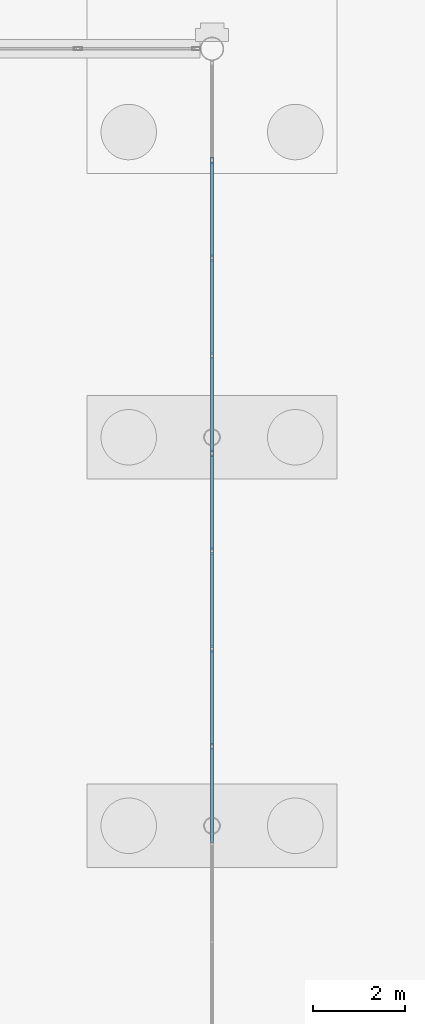
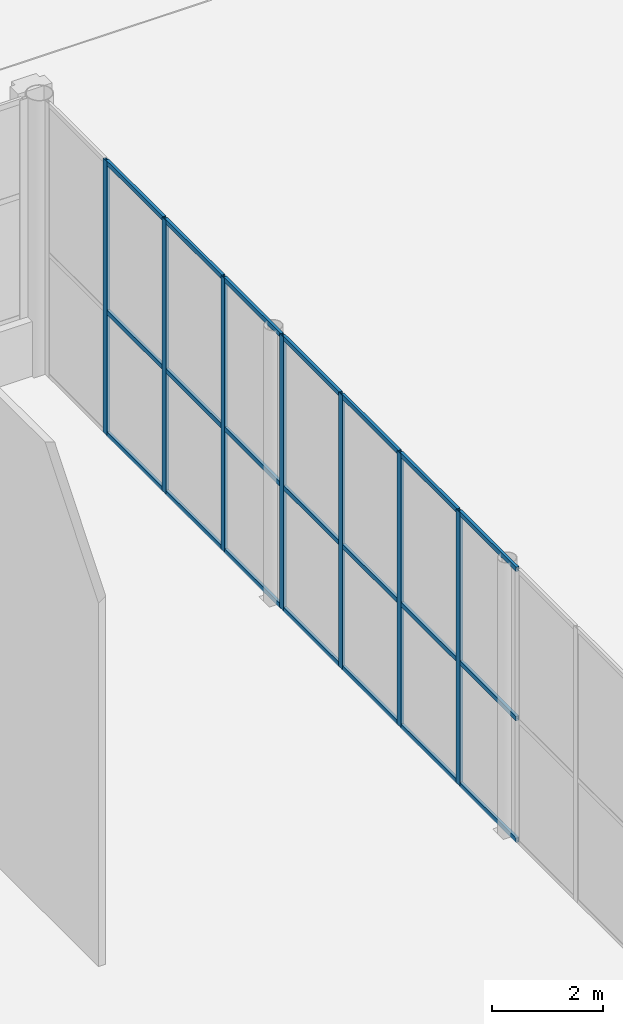
# One storey, part 152 of 212: 28 members, 1 element without a shape of its own.
"""IFC4 building model written with IfcOpenShell, lengths in metres."""

from ifc_helpers import new_model, si_unit, direction, frame, origin, origin_2d, place, context, subcontext, project, spatial, hollow_rectangle, extrude, material, material_profile, profile_set, type_object, element, aggregate, save


model = new_model("IFC4")

# Units and contexts
model_context = context("Model", 3, precision=1e-05, world=origin(), true_north=direction((0.0, 1.0)))
body_context = subcontext(model_context, "Body", "Model", "MODEL_VIEW")
ifc_project = project(units=[si_unit("LENGTHUNIT", "METRE"), si_unit("AREAUNIT", "SQUARE_METRE"), si_unit("VOLUMEUNIT", "CUBIC_METRE"), si_unit("PLANEANGLEUNIT", "RADIAN"), si_unit("MASSUNIT", "GRAM", prefix="KILO")], contexts=[model_context])

# Site, building, storey
site_placement = place(None, origin())
site = spatial("IfcSite", under=ifc_project, at=site_placement, CompositionType="ELEMENT")
building_placement = place(site_placement, origin())
building = spatial("IfcBuilding", under=site, at=building_placement, Name="Catenary Quay Ferry Terminal", CompositionType="ELEMENT")
storey_placement = place(building_placement, origin())
storey = spatial("IfcBuildingStorey", under=building, at=storey_placement, Name="L00", CompositionType="ELEMENT", Elevation=0.0)

# Curtain wall, members
ifc_material_1 = material(Name="Aluminium and glass", Category="aluminium")
curtain_wall_type = type_object("IfcCurtainWallType", Name="CWG", PredefinedType="NOTDEFINED", material=ifc_material_1)
curtain_wall_placement = place(storey_placement, origin())
curtain_wall = element("IfcCurtainWall", 1, at=curtain_wall_placement, inside=storey, type_object=curtain_wall_type, Name="Gable departure hall curtain wall CW19", PredefinedType="NOTDEFINED")
ifc_material_2 = material(Name="Aluminium", Category="aluminium")
ifc_material_profile_1 = material_profile(ifc_material_2, hollow_rectangle(XDim=0.06005859375, YDim=0.139892578125, WallThickness=0.006103515625, at=origin_2d()), Name="MU2")
ifc_profile_set_1 = profile_set([ifc_material_profile_1], Name="Aluminium")
member_type_1 = type_object("IfcMemberType", Name="MU2", PredefinedType="MULLION", material=ifc_profile_set_1)
member_1_placement = place(storey_placement, frame((92.39990234375, 127.71240234375, 0.0), z_axis=(0.0, 0.0, 1.0), x_axis=(-1.0, 0.0, 0.0)))
member_1 = element("IfcMember", 2, at=member_1_placement, type_object=member_type_1, Name="CW19 mullion 6", PredefinedType="MULLION", context=body_context, shape_type="SweptSolid", body=[
    extrude(hollow_rectangle(XDim=0.06005859375, YDim=0.139892578125, WallThickness=0.006103515625, at=origin_2d()), origin(), (0.0, 0.0, 1.0), 6.0),
])
member_2_placement = place(storey_placement, frame((92.39990234375, 129.824951171875, 0.0), z_axis=(0.0, 0.0, 1.0), x_axis=(-1.0, 0.0, 0.0)))
member_2 = element("IfcMember", 3, at=member_2_placement, type_object=member_type_1, Name="CW19 mullion 7", PredefinedType="MULLION", context=body_context, shape_type="SweptSolid", body=[
    extrude(hollow_rectangle(XDim=0.06005859375, YDim=0.139892578125, WallThickness=0.006103515625, at=origin_2d()), origin(), (0.0, 0.0, 1.0), 6.0),
])
member_3_placement = place(storey_placement, frame((92.39990234375, 131.9375, 0.0), z_axis=(0.0, 0.0, 1.0), x_axis=(-1.0, 0.0, 0.0)))
member_3 = element("IfcMember", 4, at=member_3_placement, type_object=member_type_1, Name="CW19 mullion 8", PredefinedType="MULLION", context=body_context, shape_type="SweptSolid", body=[
    extrude(hollow_rectangle(XDim=0.06005859375, YDim=0.139892578125, WallThickness=0.006103515625, at=origin_2d()), origin(), (0.0, 0.0, 1.0), 6.0),
])
member_4_placement = place(storey_placement, frame((92.39990234375, 134.050048828125, 0.0), z_axis=(0.0, 0.0, 1.0), x_axis=(-1.0, 0.0, 0.0)))
member_4 = element("IfcMember", 5, at=member_4_placement, type_object=member_type_1, Name="CW19 mullion 9", PredefinedType="MULLION", context=body_context, shape_type="SweptSolid", body=[
    extrude(hollow_rectangle(XDim=0.06005859375, YDim=0.139892578125, WallThickness=0.006103515625, at=origin_2d()), origin(), (0.0, 0.0, 1.0), 6.0),
])
member_5_placement = place(storey_placement, frame((92.39990234375, 136.16259765625, 0.0), z_axis=(0.0, 0.0, 1.0), x_axis=(-1.0, 0.0, 0.0)))
member_5 = element("IfcMember", 6, at=member_5_placement, type_object=member_type_1, Name="CW19 mullion 10", PredefinedType="MULLION", context=body_context, shape_type="SweptSolid", body=[
    extrude(hollow_rectangle(XDim=0.06005859375, YDim=0.139892578125, WallThickness=0.006103515625, at=origin_2d()), origin(), (0.0, 0.0, 1.0), 6.0),
])
member_6_placement = place(storey_placement, frame((92.39990234375, 138.27490234375, 0.0), z_axis=(0.0, 0.0, 1.0), x_axis=(-1.0, 0.0, 0.0)))
member_6 = element("IfcMember", 7, at=member_6_placement, type_object=member_type_1, Name="CW19 mullion 11", PredefinedType="MULLION", context=body_context, shape_type="SweptSolid", body=[
    extrude(hollow_rectangle(XDim=0.06005859375, YDim=0.139892578125, WallThickness=0.006103515625, at=origin_2d()), origin(), (0.0, 0.0, 1.0), 6.0),
])
member_7_placement = place(storey_placement, frame((92.39990234375, 140.387451171875, 0.0), z_axis=(0.0, 0.0, 1.0), x_axis=(-1.0, 0.0, 0.0)))
member_7 = element("IfcMember", 8, at=member_7_placement, type_object=member_type_1, Name="CW19 mullion 12", PredefinedType="MULLION", context=body_context, shape_type="SweptSolid", body=[
    extrude(hollow_rectangle(XDim=0.06005859375, YDim=0.139892578125, WallThickness=0.006103515625, at=origin_2d()), origin(), (0.0, 0.0, 1.0), 6.0),
])
ifc_material_3 = material(Name="Aluminium", Category="aluminium")
ifc_material_profile_2 = material_profile(ifc_material_3, hollow_rectangle(XDim=0.06005859375, YDim=0.10009765625, WallThickness=0.0048828125, at=origin_2d()), Name="TR2")
ifc_profile_set_2 = profile_set([ifc_material_profile_2], Name="Aluminium")
member_type_2 = type_object("IfcMemberType", Name="TR2", PredefinedType="USERDEFINED", material=ifc_profile_set_2)
member_8_placement = place(storey_placement, frame((92.39990234375, 125.6298828125, 0.030029296875), z_axis=(0.0, 1.0, 0.0), x_axis=(-1.0, 0.0, 0.0)))
member_8 = element("IfcMember", 9, at=member_8_placement, type_object=member_type_2, Name="CW19 transom 5.1", ObjectType="TRANSOM", PredefinedType="USERDEFINED", context=body_context, shape_type="SweptSolid", body=[
    extrude(hollow_rectangle(XDim=0.06005859375, YDim=0.10009765625, WallThickness=0.0048828125, at=origin_2d()), origin(), (0.0, 0.0, 1.0), 2.052734375),
])
member_9_placement = place(storey_placement, frame((92.39990234375, 125.6298828125, 2.699951171875), z_axis=(0.0, 1.0, 0.0), x_axis=(-1.0, 0.0, 0.0)))
member_9 = element("IfcMember", 10, at=member_9_placement, type_object=member_type_2, Name="CW19 transom 5.2", ObjectType="TRANSOM", PredefinedType="USERDEFINED", context=body_context, shape_type="SweptSolid", body=[
    extrude(hollow_rectangle(XDim=0.06005859375, YDim=0.10009765625, WallThickness=0.0048828125, at=origin_2d()), origin(), (0.0, 0.0, 1.0), 2.052734375),
])
member_10_placement = place(storey_placement, frame((92.39990234375, 125.6298828125, 5.969970703125), z_axis=(0.0, 1.0, 0.0), x_axis=(-1.0, 0.0, 0.0)))
member_10 = element("IfcMember", 11, at=member_10_placement, type_object=member_type_2, Name="CW19 transom 5.3", ObjectType="TRANSOM", PredefinedType="USERDEFINED", context=body_context, shape_type="SweptSolid", body=[
    extrude(hollow_rectangle(XDim=0.06005859375, YDim=0.10009765625, WallThickness=0.0048828125, at=origin_2d()), origin(), (0.0, 0.0, 1.0), 2.052734375),
])
member_11_placement = place(storey_placement, frame((92.39990234375, 127.742431640625, 0.030029296875), z_axis=(0.0, 1.0, 0.0), x_axis=(-1.0, 0.0, 0.0)))
member_11 = element("IfcMember", 12, at=member_11_placement, type_object=member_type_2, Name="CW19 transom 6.1", ObjectType="TRANSOM", PredefinedType="USERDEFINED", context=body_context, shape_type="SweptSolid", body=[
    extrude(hollow_rectangle(XDim=0.06005859375, YDim=0.10009765625, WallThickness=0.0048828125, at=origin_2d()), origin(), (0.0, 0.0, 1.0), 2.052490234375),
])
member_12_placement = place(storey_placement, frame((92.39990234375, 127.742431640625, 2.699951171875), z_axis=(0.0, 1.0, 0.0), x_axis=(-1.0, 0.0, 0.0)))
member_12 = element("IfcMember", 13, at=member_12_placement, type_object=member_type_2, Name="CW19 transom 6.2", ObjectType="TRANSOM", PredefinedType="USERDEFINED", context=body_context, shape_type="SweptSolid", body=[
    extrude(hollow_rectangle(XDim=0.06005859375, YDim=0.10009765625, WallThickness=0.0048828125, at=origin_2d()), origin(), (0.0, 0.0, 1.0), 2.052490234375),
])
member_13_placement = place(storey_placement, frame((92.39990234375, 127.742431640625, 5.969970703125), z_axis=(0.0, 1.0, 0.0), x_axis=(-1.0, 0.0, 0.0)))
member_13 = element("IfcMember", 14, at=member_13_placement, type_object=member_type_2, Name="CW19 transom 6.3", ObjectType="TRANSOM", PredefinedType="USERDEFINED", context=body_context, shape_type="SweptSolid", body=[
    extrude(hollow_rectangle(XDim=0.06005859375, YDim=0.10009765625, WallThickness=0.0048828125, at=origin_2d()), origin(), (0.0, 0.0, 1.0), 2.052490234375),
])
member_14_placement = place(storey_placement, frame((92.39990234375, 129.85498046875, 0.030029296875), z_axis=(0.0, 1.0, 0.0), x_axis=(-1.0, 0.0, 0.0)))
member_14 = element("IfcMember", 15, at=member_14_placement, type_object=member_type_2, Name="CW19 transom 7.1", ObjectType="TRANSOM", PredefinedType="USERDEFINED", context=body_context, shape_type="SweptSolid", body=[
    extrude(hollow_rectangle(XDim=0.06005859375, YDim=0.10009765625, WallThickness=0.0048828125, at=origin_2d()), origin(), (0.0, 0.0, 1.0), 2.052490234375),
])
member_15_placement = place(storey_placement, frame((92.39990234375, 129.85498046875, 2.699951171875), z_axis=(0.0, 1.0, 0.0), x_axis=(-1.0, 0.0, 0.0)))
member_15 = element("IfcMember", 16, at=member_15_placement, type_object=member_type_2, Name="CW19 transom 7.2", ObjectType="TRANSOM", PredefinedType="USERDEFINED", context=body_context, shape_type="SweptSolid", body=[
    extrude(hollow_rectangle(XDim=0.06005859375, YDim=0.10009765625, WallThickness=0.0048828125, at=origin_2d()), origin(), (0.0, 0.0, 1.0), 2.052490234375),
])
member_16_placement = place(storey_placement, frame((92.39990234375, 129.85498046875, 5.969970703125), z_axis=(0.0, 1.0, 0.0), x_axis=(-1.0, 0.0, 0.0)))
member_16 = element("IfcMember", 17, at=member_16_placement, type_object=member_type_2, Name="CW19 transom 7.3", ObjectType="TRANSOM", PredefinedType="USERDEFINED", context=body_context, shape_type="SweptSolid", body=[
    extrude(hollow_rectangle(XDim=0.06005859375, YDim=0.10009765625, WallThickness=0.0048828125, at=origin_2d()), origin(), (0.0, 0.0, 1.0), 2.052490234375),
])
member_17_placement = place(storey_placement, frame((92.39990234375, 131.967529296875, 0.030029296875), z_axis=(0.0, 1.0, 0.0), x_axis=(-1.0, 0.0, 0.0)))
member_17 = element("IfcMember", 18, at=member_17_placement, type_object=member_type_2, Name="CW19 transom 8.1", ObjectType="TRANSOM", PredefinedType="USERDEFINED", context=body_context, shape_type="SweptSolid", body=[
    extrude(hollow_rectangle(XDim=0.06005859375, YDim=0.10009765625, WallThickness=0.0048828125, at=origin_2d()), origin(), (0.0, 0.0, 1.0), 2.052490234375),
])
member_18_placement = place(storey_placement, frame((92.39990234375, 131.967529296875, 2.699951171875), z_axis=(0.0, 1.0, 0.0), x_axis=(-1.0, 0.0, 0.0)))
member_18 = element("IfcMember", 19, at=member_18_placement, type_object=member_type_2, Name="CW19 transom 8.2", ObjectType="TRANSOM", PredefinedType="USERDEFINED", context=body_context, shape_type="SweptSolid", body=[
    extrude(hollow_rectangle(XDim=0.06005859375, YDim=0.10009765625, WallThickness=0.0048828125, at=origin_2d()), origin(), (0.0, 0.0, 1.0), 2.052490234375),
])
member_19_placement = place(storey_placement, frame((92.39990234375, 131.967529296875, 5.969970703125), z_axis=(0.0, 1.0, 0.0), x_axis=(-1.0, 0.0, 0.0)))
member_19 = element("IfcMember", 20, at=member_19_placement, type_object=member_type_2, Name="CW19 transom 8.3", ObjectType="TRANSOM", PredefinedType="USERDEFINED", context=body_context, shape_type="SweptSolid", body=[
    extrude(hollow_rectangle(XDim=0.06005859375, YDim=0.10009765625, WallThickness=0.0048828125, at=origin_2d()), origin(), (0.0, 0.0, 1.0), 2.052490234375),
])
member_20_placement = place(storey_placement, frame((92.39990234375, 134.080078125, 0.030029296875), z_axis=(0.0, 1.0, 0.0), x_axis=(-1.0, 0.0, 0.0)))
member_20 = element("IfcMember", 21, at=member_20_placement, type_object=member_type_2, Name="CW19 transom 9.1", ObjectType="TRANSOM", PredefinedType="USERDEFINED", context=body_context, shape_type="SweptSolid", body=[
    extrude(hollow_rectangle(XDim=0.06005859375, YDim=0.10009765625, WallThickness=0.0048828125, at=origin_2d()), origin(), (0.0, 0.0, 1.0), 2.052490234375),
])
member_21_placement = place(storey_placement, frame((92.39990234375, 134.080078125, 2.699951171875), z_axis=(0.0, 1.0, 0.0), x_axis=(-1.0, 0.0, 0.0)))
member_21 = element("IfcMember", 22, at=member_21_placement, type_object=member_type_2, Name="CW19 transom 9.2", ObjectType="TRANSOM", PredefinedType="USERDEFINED", context=body_context, shape_type="SweptSolid", body=[
    extrude(hollow_rectangle(XDim=0.06005859375, YDim=0.10009765625, WallThickness=0.0048828125, at=origin_2d()), origin(), (0.0, 0.0, 1.0), 2.052490234375),
])
member_22_placement = place(storey_placement, frame((92.39990234375, 134.080078125, 5.969970703125), z_axis=(0.0, 1.0, 0.0), x_axis=(-1.0, 0.0, 0.0)))
member_22 = element("IfcMember", 23, at=member_22_placement, type_object=member_type_2, Name="CW19 transom 9.3", ObjectType="TRANSOM", PredefinedType="USERDEFINED", context=body_context, shape_type="SweptSolid", body=[
    extrude(hollow_rectangle(XDim=0.06005859375, YDim=0.10009765625, WallThickness=0.0048828125, at=origin_2d()), origin(), (0.0, 0.0, 1.0), 2.052490234375),
])
member_23_placement = place(storey_placement, frame((92.39990234375, 136.1923828125, 0.030029296875), z_axis=(0.0, 1.0, 0.0), x_axis=(-1.0, 0.0, 0.0)))
member_23 = element("IfcMember", 24, at=member_23_placement, type_object=member_type_2, Name="CW19 transom 10.1", ObjectType="TRANSOM", PredefinedType="USERDEFINED", context=body_context, shape_type="SweptSolid", body=[
    extrude(hollow_rectangle(XDim=0.06005859375, YDim=0.10009765625, WallThickness=0.0048828125, at=origin_2d()), origin(), (0.0, 0.0, 1.0), 2.052734375),
])
member_24_placement = place(storey_placement, frame((92.39990234375, 136.1923828125, 2.699951171875), z_axis=(0.0, 1.0, 0.0), x_axis=(-1.0, 0.0, 0.0)))
member_24 = element("IfcMember", 25, at=member_24_placement, type_object=member_type_2, Name="CW19 transom 10.2", ObjectType="TRANSOM", PredefinedType="USERDEFINED", context=body_context, shape_type="SweptSolid", body=[
    extrude(hollow_rectangle(XDim=0.06005859375, YDim=0.10009765625, WallThickness=0.0048828125, at=origin_2d()), origin(), (0.0, 0.0, 1.0), 2.052734375),
])
member_25_placement = place(storey_placement, frame((92.39990234375, 136.1923828125, 5.969970703125), z_axis=(0.0, 1.0, 0.0), x_axis=(-1.0, 0.0, 0.0)))
member_25 = element("IfcMember", 26, at=member_25_placement, type_object=member_type_2, Name="CW19 transom 10.3", ObjectType="TRANSOM", PredefinedType="USERDEFINED", context=body_context, shape_type="SweptSolid", body=[
    extrude(hollow_rectangle(XDim=0.06005859375, YDim=0.10009765625, WallThickness=0.0048828125, at=origin_2d()), origin(), (0.0, 0.0, 1.0), 2.052734375),
])
member_26_placement = place(storey_placement, frame((92.39990234375, 138.304931640625, 0.030029296875), z_axis=(0.0, 1.0, 0.0), x_axis=(-1.0, 0.0, 0.0)))
member_26 = element("IfcMember", 27, at=member_26_placement, type_object=member_type_2, Name="CW19 transom 11.1", ObjectType="TRANSOM", PredefinedType="USERDEFINED", context=body_context, shape_type="SweptSolid", body=[
    extrude(hollow_rectangle(XDim=0.06005859375, YDim=0.10009765625, WallThickness=0.0048828125, at=origin_2d()), origin(), (0.0, 0.0, 1.0), 2.052490234375),
])
member_27_placement = place(storey_placement, frame((92.39990234375, 138.304931640625, 2.699951171875), z_axis=(0.0, 1.0, 0.0), x_axis=(-1.0, 0.0, 0.0)))
member_27 = element("IfcMember", 28, at=member_27_placement, type_object=member_type_2, Name="CW19 transom 11.2", ObjectType="TRANSOM", PredefinedType="USERDEFINED", context=body_context, shape_type="SweptSolid", body=[
    extrude(hollow_rectangle(XDim=0.06005859375, YDim=0.10009765625, WallThickness=0.0048828125, at=origin_2d()), origin(), (0.0, 0.0, 1.0), 2.052490234375),
])
member_28_placement = place(storey_placement, frame((92.39990234375, 138.304931640625, 5.969970703125), z_axis=(0.0, 1.0, 0.0), x_axis=(-1.0, 0.0, 0.0)))
member_28 = element("IfcMember", 29, at=member_28_placement, type_object=member_type_2, Name="CW19 transom 11.3", ObjectType="TRANSOM", PredefinedType="USERDEFINED", context=body_context, shape_type="SweptSolid", body=[
    extrude(hollow_rectangle(XDim=0.06005859375, YDim=0.10009765625, WallThickness=0.0048828125, at=origin_2d()), origin(), (0.0, 0.0, 1.0), 2.052490234375),
])
aggregate(curtain_wall, [member_1, member_2, member_3, member_4, member_5, member_6, member_7, member_8, member_9, member_10, member_11, member_12, member_13, member_14, member_15, member_16, member_17, member_18, member_19, member_20, member_21, member_22, member_23, member_24, member_25, member_26, member_27, member_28])

save(model, "model.ifc")
